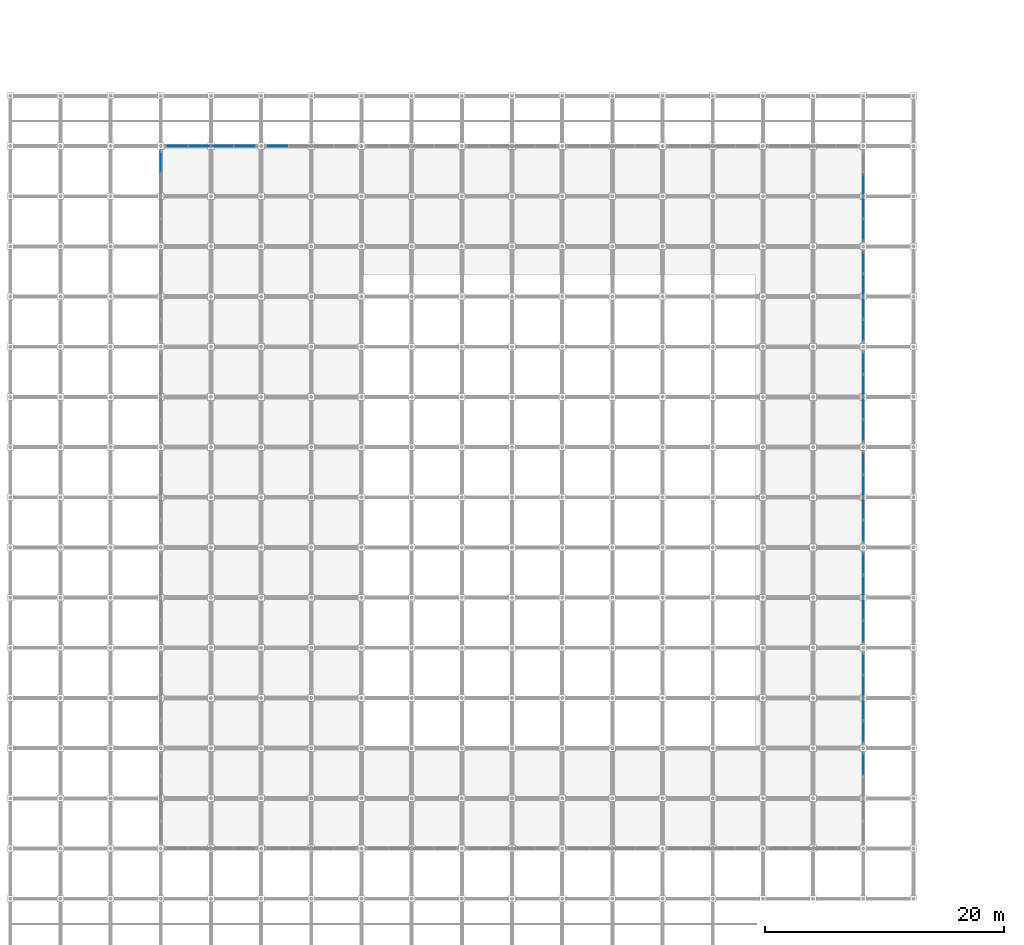
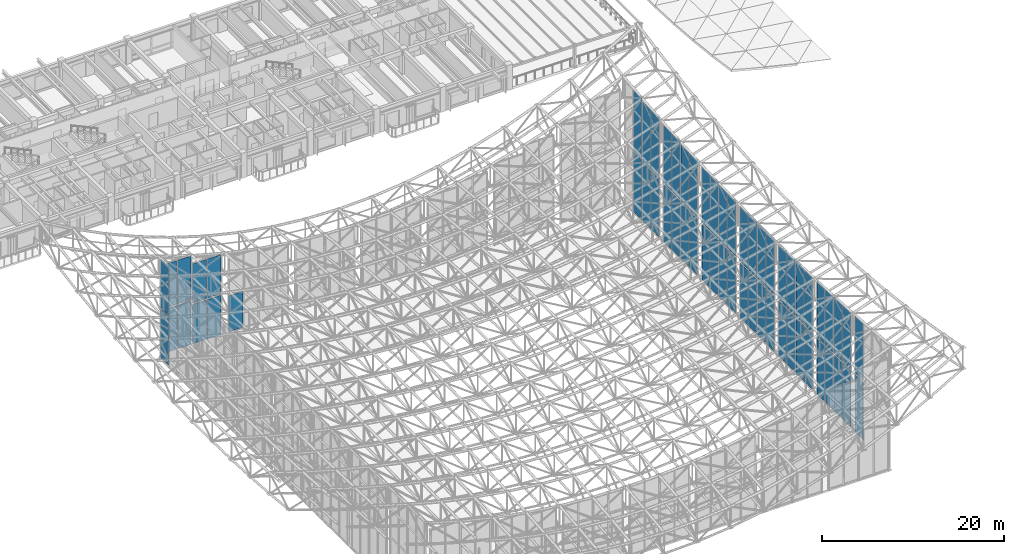
# One storey, part 61 of 93: 59 plates, 17 elements without a shape of their own.
"""IFC4 building model written with IfcOpenShell, lengths in metres."""

from ifc_helpers import new_model, si_unit, direction, frame, origin, origin_2d, place, context, subcontext, project, spatial, rectangle, extrude, material, layer, layer_set, type_object, element, aggregate, save


model = new_model("IFC4")

# Units and contexts
model_context = context("Model", 3, precision=1e-05, world=origin(), true_north=direction((0.0, 1.0)))
body_context = subcontext(model_context, "Body", "Model", "MODEL_VIEW")
ifc_project = project(units=[si_unit("LENGTHUNIT", "METRE"), si_unit("AREAUNIT", "SQUARE_METRE"), si_unit("VOLUMEUNIT", "CUBIC_METRE"), si_unit("PLANEANGLEUNIT", "RADIAN"), si_unit("MASSUNIT", "GRAM", prefix="KILO")], contexts=[model_context])

# Site, building, storey
site_placement = place(None, origin())
site = spatial("IfcSite", under=ifc_project, at=site_placement, CompositionType="ELEMENT")
building_placement = place(site_placement, origin())
building = spatial("IfcBuilding", under=site, at=building_placement, Name="Cumbredor Promenade Congress Hotel", CompositionType="ELEMENT")
storey_placement = place(building_placement, frame((0.0, 0.0, 21.840087890625)))
storey = spatial("IfcBuildingStorey", under=building, at=storey_placement, Name="L06", CompositionType="ELEMENT", Elevation=21.840087890625)

# Curtain wall, plates
ifc_material_1 = material(Name="Thermally broken anodized aluminium and low-E glass", Category="aluminium")
curtain_wall_type = type_object("IfcCurtainWallType", Name="Stepped Pavilion Clerestory Curtain Wall CW-06", PredefinedType="NOTDEFINED", material=ifc_material_1)
curtain_wall_1_placement = place(storey_placement, origin())
curtain_wall_1 = element("IfcCurtainWall", 1, at=curtain_wall_1_placement, inside=storey, type_object=curtain_wall_type, Name="Plenary Congress Hall N Glazed Clerestory 1", PredefinedType="NOTDEFINED")
ifc_material_2 = material(Name="Laminated low-E solar-control glass", Category="glass")
ifc_layer = layer(ifc_material_2, 0.031982421875, Name="Laminated low-E solar-control glass", Category="glass")
ifc_layer_set = layer_set([ifc_layer], Name="Laminated low-E solar-control glass")
plate_type = type_object("IfcPlateType", Name="Clerestory Glazed Vision Panel PNL-07", PredefinedType="CURTAIN_PANEL", material=ifc_layer_set)
plate_1_placement = place(storey_placement, frame((9.77001953125, 67.199951171875, 0.169921875), z_axis=(0.0, 0.0, 1.0), x_axis=(1.0, 0.0, 0.0)))
plate_1 = element("IfcPlate", 2, at=plate_1_placement, type_object=plate_type, Name="Plenary Congress Hall N Glazed Clerestory 1 Glazing Panel 1.1", PredefinedType="CURTAIN_PANEL", context=body_context, shape_type="SweptSolid", body=[
    extrude(rectangle(XDim=1.77490234375, YDim=0.031982421875, at=origin_2d()), origin(), (0.0, 0.0, 1.0), 5.840087890625),
])
plate_2_placement = place(storey_placement, frame((9.77001953125, 67.199951171875, 6.18994140625), z_axis=(0.0, 0.0, 1.0), x_axis=(1.0, 0.0, 0.0)))
plate_2 = element("IfcPlate", 3, at=plate_2_placement, type_object=plate_type, Name="Plenary Congress Hall N Glazed Clerestory 1 Glazing Panel 1.2", PredefinedType="CURTAIN_PANEL", context=body_context, shape_type="SweptSolid", body=[
    extrude(rectangle(XDim=1.77490234375, YDim=0.031982421875, at=origin_2d()), origin(), (0.0, 0.0, 1.0), 5.830078125),
])
plate_3_placement = place(storey_placement, frame((11.6298828125, 67.199951171875, 0.169921875), z_axis=(0.0, 0.0, 1.0), x_axis=(1.0, 0.0, 0.0)))
plate_3 = element("IfcPlate", 4, at=plate_3_placement, type_object=plate_type, Name="Plenary Congress Hall N Glazed Clerestory 1 Glazing Panel 2.1", PredefinedType="CURTAIN_PANEL", context=body_context, shape_type="SweptSolid", body=[
    extrude(rectangle(XDim=1.77490234375, YDim=0.031982421875, at=origin_2d()), origin(), (0.0, 0.0, 1.0), 5.840087890625),
])
plate_4_placement = place(storey_placement, frame((11.6298828125, 67.199951171875, 6.18994140625), z_axis=(0.0, 0.0, 1.0), x_axis=(1.0, 0.0, 0.0)))
plate_4 = element("IfcPlate", 5, at=plate_4_placement, type_object=plate_type, Name="Plenary Congress Hall N Glazed Clerestory 1 Glazing Panel 2.2", PredefinedType="CURTAIN_PANEL", context=body_context, shape_type="SweptSolid", body=[
    extrude(rectangle(XDim=1.77490234375, YDim=0.031982421875, at=origin_2d()), origin(), (0.0, 0.0, 1.0), 5.830078125),
])
aggregate(curtain_wall_1, [plate_1, plate_2, plate_3, plate_4])

curtain_wall_2_placement = place(storey_placement, origin())
curtain_wall_2 = element("IfcCurtainWall", 6, at=curtain_wall_2_placement, inside=storey, type_object=curtain_wall_type, Name="Plenary Congress Hall N Glazed Clerestory 2", PredefinedType="NOTDEFINED")
plate_5_placement = place(storey_placement, frame((13.570068359375, 67.199951171875, 0.169921875), z_axis=(0.0, 0.0, 1.0), x_axis=(1.0, 0.0, 0.0)))
plate_5 = element("IfcPlate", 7, at=plate_5_placement, type_object=plate_type, Name="Plenary Congress Hall N Glazed Clerestory 2 Glazing Panel 1.1", PredefinedType="CURTAIN_PANEL", context=body_context, shape_type="SweptSolid", body=[
    extrude(rectangle(XDim=1.77490234375, YDim=0.031982421875, at=origin_2d()), origin(), (0.0, 0.0, 1.0), 5.27001953125),
])
plate_6_placement = place(storey_placement, frame((13.570068359375, 67.199951171875, 5.6201171875), z_axis=(0.0, 0.0, 1.0), x_axis=(1.0, 0.0, 0.0)))
plate_6 = element("IfcPlate", 8, at=plate_6_placement, type_object=plate_type, Name="Plenary Congress Hall N Glazed Clerestory 2 Glazing Panel 1.2", PredefinedType="CURTAIN_PANEL", context=body_context, shape_type="SweptSolid", body=[
    extrude(rectangle(XDim=1.77490234375, YDim=0.031982421875, at=origin_2d()), origin(), (0.0, 0.0, 1.0), 5.260009765625),
])
plate_7_placement = place(storey_placement, frame((15.429931640625, 67.199951171875, 0.169921875), z_axis=(0.0, 0.0, 1.0), x_axis=(1.0, 0.0, 0.0)))
plate_7 = element("IfcPlate", 9, at=plate_7_placement, type_object=plate_type, Name="Plenary Congress Hall N Glazed Clerestory 2 Glazing Panel 2.1", PredefinedType="CURTAIN_PANEL", context=body_context, shape_type="SweptSolid", body=[
    extrude(rectangle(XDim=1.77490234375, YDim=0.031982421875, at=origin_2d()), origin(), (0.0, 0.0, 1.0), 5.27001953125),
])
plate_8_placement = place(storey_placement, frame((15.429931640625, 67.199951171875, 5.6201171875), z_axis=(0.0, 0.0, 1.0), x_axis=(1.0, 0.0, 0.0)))
plate_8 = element("IfcPlate", 10, at=plate_8_placement, type_object=plate_type, Name="Plenary Congress Hall N Glazed Clerestory 2 Glazing Panel 2.2", PredefinedType="CURTAIN_PANEL", context=body_context, shape_type="SweptSolid", body=[
    extrude(rectangle(XDim=1.77490234375, YDim=0.031982421875, at=origin_2d()), origin(), (0.0, 0.0, 1.0), 5.260009765625),
])
aggregate(curtain_wall_2, [plate_5, plate_6, plate_7, plate_8])

# Curtain wall, plate
curtain_wall_3_placement = place(storey_placement, origin())
curtain_wall_3 = element("IfcCurtainWall", 11, at=curtain_wall_3_placement, inside=storey, type_object=curtain_wall_type, Name="Plenary Congress Hall N Glazed Clerestory 3", PredefinedType="NOTDEFINED")
plate_9_placement = place(storey_placement, frame((18.169921875, 67.199951171875, 0.169921875), z_axis=(0.0, 0.0, 1.0), x_axis=(1.0, 0.0, 0.0)))
plate_9 = element("IfcPlate", 12, at=plate_9_placement, type_object=plate_type, Name="Plenary Congress Hall N Glazed Clerestory 3 Glazing Panel 1.1", PredefinedType="CURTAIN_PANEL", context=body_context, shape_type="SweptSolid", body=[
    extrude(rectangle(XDim=1.77490234375, YDim=0.031982421875, at=origin_2d()), origin(), (0.0, 0.0, 1.0), 4.830078125),
])
aggregate(curtain_wall_3, [plate_9])

# Curtain wall, plates
curtain_wall_4_placement = place(storey_placement, origin())
curtain_wall_4 = element("IfcCurtainWall", 13, at=curtain_wall_4_placement, inside=storey, type_object=curtain_wall_type, Name="Plenary Congress Hall W Glazed Clerestory 14", PredefinedType="NOTDEFINED")
plate_10_placement = place(storey_placement, frame((8.39990234375, 65.830078125, 0.169921875), z_axis=(0.0, 0.0, 1.0), x_axis=(0.0, 1.0, 0.0)))
plate_10 = element("IfcPlate", 14, at=plate_10_placement, type_object=plate_type, Name="Plenary Congress Hall W Glazed Clerestory 14 Glazing Panel 2.1", PredefinedType="CURTAIN_PANEL", context=body_context, shape_type="SweptSolid", body=[
    extrude(rectangle(XDim=1.77490234375, YDim=0.031982421875, at=origin_2d()), origin(), (0.0, 0.0, 1.0), 6.5),
])
plate_11_placement = place(storey_placement, frame((8.39990234375, 65.830078125, 6.849853515625), z_axis=(0.0, 0.0, 1.0), x_axis=(0.0, 1.0, 0.0)))
plate_11 = element("IfcPlate", 15, at=plate_11_placement, type_object=plate_type, Name="Plenary Congress Hall W Glazed Clerestory 14 Glazing Panel 2.2", PredefinedType="CURTAIN_PANEL", context=body_context, shape_type="SweptSolid", body=[
    extrude(rectangle(XDim=1.77490234375, YDim=0.031982421875, at=origin_2d()), origin(), (0.0, 0.0, 1.0), 6.5),
])
aggregate(curtain_wall_4, [plate_10, plate_11])

curtain_wall_5_placement = place(storey_placement, origin())
curtain_wall_5 = element("IfcCurtainWall", 16, at=curtain_wall_5_placement, inside=storey, type_object=curtain_wall_type, Name="Plenary Congress Hall E Glazed Clerestory 2", PredefinedType="NOTDEFINED")
plate_12_placement = place(storey_placement, frame((67.199951171875, 15.429931640625, 0.169921875), z_axis=(0.0, 0.0, 1.0), x_axis=(0.0, 1.0, 0.0)))
plate_12 = element("IfcPlate", 17, at=plate_12_placement, type_object=plate_type, Name="Plenary Congress Hall E Glazed Clerestory 2 Glazing Panel 2.1", PredefinedType="CURTAIN_PANEL", context=body_context, shape_type="SweptSolid", body=[
    extrude(rectangle(XDim=1.77490234375, YDim=0.031982421875, at=origin_2d()), origin(), (0.0, 0.0, 1.0), 7.699951171875),
])
plate_13_placement = place(storey_placement, frame((67.199951171875, 15.429931640625, 8.050048828125), z_axis=(0.0, 0.0, 1.0), x_axis=(0.0, 1.0, 0.0)))
plate_13 = element("IfcPlate", 18, at=plate_13_placement, type_object=plate_type, Name="Plenary Congress Hall E Glazed Clerestory 2 Glazing Panel 2.2", PredefinedType="CURTAIN_PANEL", context=body_context, shape_type="SweptSolid", body=[
    extrude(rectangle(XDim=1.77490234375, YDim=0.031982421875, at=origin_2d()), origin(), (0.0, 0.0, 1.0), 7.68994140625),
])
aggregate(curtain_wall_5, [plate_12, plate_13])

curtain_wall_6_placement = place(storey_placement, origin())
curtain_wall_6 = element("IfcCurtainWall", 19, at=curtain_wall_6_placement, inside=storey, type_object=curtain_wall_type, Name="Plenary Congress Hall E Glazed Clerestory 3", PredefinedType="NOTDEFINED")
plate_14_placement = place(storey_placement, frame((67.199951171875, 18.169921875, 0.169921875), z_axis=(0.0, 0.0, 1.0), x_axis=(0.0, 1.0, 0.0)))
plate_14 = element("IfcPlate", 20, at=plate_14_placement, type_object=plate_type, Name="Plenary Congress Hall E Glazed Clerestory 3 Glazing Panel 1.1", PredefinedType="CURTAIN_PANEL", context=body_context, shape_type="SweptSolid", body=[
    extrude(rectangle(XDim=1.77490234375, YDim=0.031982421875, at=origin_2d()), origin(), (0.0, 0.0, 1.0), 7.56005859375),
])
plate_15_placement = place(storey_placement, frame((67.199951171875, 18.169921875, 7.90966796875), z_axis=(0.0, 0.0, 1.0), x_axis=(0.0, 1.0, 0.0)))
plate_15 = element("IfcPlate", 21, at=plate_15_placement, type_object=plate_type, Name="Plenary Congress Hall E Glazed Clerestory 3 Glazing Panel 1.2", PredefinedType="CURTAIN_PANEL", context=body_context, shape_type="SweptSolid", body=[
    extrude(rectangle(XDim=1.77490234375, YDim=0.031982421875, at=origin_2d()), origin(), (0.0, 0.0, 1.0), 7.570068359375),
])
plate_16_placement = place(storey_placement, frame((67.199951171875, 20.030029296875, 0.169921875), z_axis=(0.0, 0.0, 1.0), x_axis=(0.0, 1.0, 0.0)))
plate_16 = element("IfcPlate", 22, at=plate_16_placement, type_object=plate_type, Name="Plenary Congress Hall E Glazed Clerestory 3 Glazing Panel 2.1", PredefinedType="CURTAIN_PANEL", context=body_context, shape_type="SweptSolid", body=[
    extrude(rectangle(XDim=1.77490234375, YDim=0.031982421875, at=origin_2d()), origin(), (0.0, 0.0, 1.0), 7.56005859375),
])
plate_17_placement = place(storey_placement, frame((67.199951171875, 20.030029296875, 7.90966796875), z_axis=(0.0, 0.0, 1.0), x_axis=(0.0, 1.0, 0.0)))
plate_17 = element("IfcPlate", 23, at=plate_17_placement, type_object=plate_type, Name="Plenary Congress Hall E Glazed Clerestory 3 Glazing Panel 2.2", PredefinedType="CURTAIN_PANEL", context=body_context, shape_type="SweptSolid", body=[
    extrude(rectangle(XDim=1.77490234375, YDim=0.031982421875, at=origin_2d()), origin(), (0.0, 0.0, 1.0), 7.570068359375),
])
aggregate(curtain_wall_6, [plate_14, plate_15, plate_16, plate_17])

curtain_wall_7_placement = place(storey_placement, origin())
curtain_wall_7 = element("IfcCurtainWall", 24, at=curtain_wall_7_placement, inside=storey, type_object=curtain_wall_type, Name="Plenary Congress Hall E Glazed Clerestory 4", PredefinedType="NOTDEFINED")
plate_18_placement = place(storey_placement, frame((67.199951171875, 21.969970703125, 0.169921875), z_axis=(0.0, 0.0, 1.0), x_axis=(0.0, 1.0, 0.0)))
plate_18 = element("IfcPlate", 25, at=plate_18_placement, type_object=plate_type, Name="Plenary Congress Hall E Glazed Clerestory 4 Glazing Panel 1.1", PredefinedType="CURTAIN_PANEL", context=body_context, shape_type="SweptSolid", body=[
    extrude(rectangle(XDim=1.77490234375, YDim=0.031982421875, at=origin_2d()), origin(), (0.0, 0.0, 1.0), 7.469970703125),
])
plate_19_placement = place(storey_placement, frame((67.199951171875, 21.969970703125, 7.81982421875), z_axis=(0.0, 0.0, 1.0), x_axis=(0.0, 1.0, 0.0)))
plate_19 = element("IfcPlate", 26, at=plate_19_placement, type_object=plate_type, Name="Plenary Congress Hall E Glazed Clerestory 4 Glazing Panel 1.2", PredefinedType="CURTAIN_PANEL", context=body_context, shape_type="SweptSolid", body=[
    extrude(rectangle(XDim=1.77490234375, YDim=0.031982421875, at=origin_2d()), origin(), (0.0, 0.0, 1.0), 7.4599609375),
])
plate_20_placement = place(storey_placement, frame((67.199951171875, 23.830078125, 0.169921875), z_axis=(0.0, 0.0, 1.0), x_axis=(0.0, 1.0, 0.0)))
plate_20 = element("IfcPlate", 27, at=plate_20_placement, type_object=plate_type, Name="Plenary Congress Hall E Glazed Clerestory 4 Glazing Panel 2.1", PredefinedType="CURTAIN_PANEL", context=body_context, shape_type="SweptSolid", body=[
    extrude(rectangle(XDim=1.77490234375, YDim=0.031982421875, at=origin_2d()), origin(), (0.0, 0.0, 1.0), 7.469970703125),
])
plate_21_placement = place(storey_placement, frame((67.199951171875, 23.830078125, 7.81982421875), z_axis=(0.0, 0.0, 1.0), x_axis=(0.0, 1.0, 0.0)))
plate_21 = element("IfcPlate", 28, at=plate_21_placement, type_object=plate_type, Name="Plenary Congress Hall E Glazed Clerestory 4 Glazing Panel 2.2", PredefinedType="CURTAIN_PANEL", context=body_context, shape_type="SweptSolid", body=[
    extrude(rectangle(XDim=1.77490234375, YDim=0.031982421875, at=origin_2d()), origin(), (0.0, 0.0, 1.0), 7.4599609375),
])
aggregate(curtain_wall_7, [plate_18, plate_19, plate_20, plate_21])

curtain_wall_8_placement = place(storey_placement, origin())
curtain_wall_8 = element("IfcCurtainWall", 29, at=curtain_wall_8_placement, inside=storey, type_object=curtain_wall_type, Name="Plenary Congress Hall E Glazed Clerestory 5", PredefinedType="NOTDEFINED")
plate_22_placement = place(storey_placement, frame((67.199951171875, 26.570068359375, 0.169921875), z_axis=(0.0, 0.0, 1.0), x_axis=(0.0, 1.0, 0.0)))
plate_22 = element("IfcPlate", 30, at=plate_22_placement, type_object=plate_type, Name="Plenary Congress Hall E Glazed Clerestory 5 Glazing Panel 1.1", PredefinedType="CURTAIN_PANEL", context=body_context, shape_type="SweptSolid", body=[
    extrude(rectangle(XDim=1.77490234375, YDim=0.031982421875, at=origin_2d()), origin(), (0.0, 0.0, 1.0), 7.39990234375),
])
plate_23_placement = place(storey_placement, frame((67.199951171875, 26.570068359375, 7.75), z_axis=(0.0, 0.0, 1.0), x_axis=(0.0, 1.0, 0.0)))
plate_23 = element("IfcPlate", 31, at=plate_23_placement, type_object=plate_type, Name="Plenary Congress Hall E Glazed Clerestory 5 Glazing Panel 1.2", PredefinedType="CURTAIN_PANEL", context=body_context, shape_type="SweptSolid", body=[
    extrude(rectangle(XDim=1.77490234375, YDim=0.031982421875, at=origin_2d()), origin(), (0.0, 0.0, 1.0), 7.39990234375),
])
plate_24_placement = place(storey_placement, frame((67.199951171875, 28.429931640625, 0.169921875), z_axis=(0.0, 0.0, 1.0), x_axis=(0.0, 1.0, 0.0)))
plate_24 = element("IfcPlate", 32, at=plate_24_placement, type_object=plate_type, Name="Plenary Congress Hall E Glazed Clerestory 5 Glazing Panel 2.1", PredefinedType="CURTAIN_PANEL", context=body_context, shape_type="SweptSolid", body=[
    extrude(rectangle(XDim=1.77490234375, YDim=0.031982421875, at=origin_2d()), origin(), (0.0, 0.0, 1.0), 7.39990234375),
])
plate_25_placement = place(storey_placement, frame((67.199951171875, 28.429931640625, 7.75), z_axis=(0.0, 0.0, 1.0), x_axis=(0.0, 1.0, 0.0)))
plate_25 = element("IfcPlate", 33, at=plate_25_placement, type_object=plate_type, Name="Plenary Congress Hall E Glazed Clerestory 5 Glazing Panel 2.2", PredefinedType="CURTAIN_PANEL", context=body_context, shape_type="SweptSolid", body=[
    extrude(rectangle(XDim=1.77490234375, YDim=0.031982421875, at=origin_2d()), origin(), (0.0, 0.0, 1.0), 7.39990234375),
])
aggregate(curtain_wall_8, [plate_22, plate_23, plate_24, plate_25])

curtain_wall_9_placement = place(storey_placement, origin())
curtain_wall_9 = element("IfcCurtainWall", 34, at=curtain_wall_9_placement, inside=storey, type_object=curtain_wall_type, Name="Plenary Congress Hall E Glazed Clerestory 6", PredefinedType="NOTDEFINED")
plate_26_placement = place(storey_placement, frame((67.199951171875, 30.3701171875, 0.169921875), z_axis=(0.0, 0.0, 1.0), x_axis=(0.0, 1.0, 0.0)))
plate_26 = element("IfcPlate", 35, at=plate_26_placement, type_object=plate_type, Name="Plenary Congress Hall E Glazed Clerestory 6 Glazing Panel 1.1", PredefinedType="CURTAIN_PANEL", context=body_context, shape_type="SweptSolid", body=[
    extrude(rectangle(XDim=1.77490234375, YDim=0.031982421875, at=origin_2d()), origin(), (0.0, 0.0, 1.0), 7.360107421875),
])
plate_27_placement = place(storey_placement, frame((67.199951171875, 30.3701171875, 7.7099609375), z_axis=(0.0, 0.0, 1.0), x_axis=(0.0, 1.0, 0.0)))
plate_27 = element("IfcPlate", 36, at=plate_27_placement, type_object=plate_type, Name="Plenary Congress Hall E Glazed Clerestory 6 Glazing Panel 1.2", PredefinedType="CURTAIN_PANEL", context=body_context, shape_type="SweptSolid", body=[
    extrude(rectangle(XDim=1.77490234375, YDim=0.031982421875, at=origin_2d()), origin(), (0.0, 0.0, 1.0), 7.3701171875),
])
plate_28_placement = place(storey_placement, frame((67.199951171875, 32.22998046875, 0.169921875), z_axis=(0.0, 0.0, 1.0), x_axis=(0.0, 1.0, 0.0)))
plate_28 = element("IfcPlate", 37, at=plate_28_placement, type_object=plate_type, Name="Plenary Congress Hall E Glazed Clerestory 6 Glazing Panel 2.1", PredefinedType="CURTAIN_PANEL", context=body_context, shape_type="SweptSolid", body=[
    extrude(rectangle(XDim=1.77490234375, YDim=0.031982421875, at=origin_2d()), origin(), (0.0, 0.0, 1.0), 7.360107421875),
])
plate_29_placement = place(storey_placement, frame((67.199951171875, 32.22998046875, 7.7099609375), z_axis=(0.0, 0.0, 1.0), x_axis=(0.0, 1.0, 0.0)))
plate_29 = element("IfcPlate", 38, at=plate_29_placement, type_object=plate_type, Name="Plenary Congress Hall E Glazed Clerestory 6 Glazing Panel 2.2", PredefinedType="CURTAIN_PANEL", context=body_context, shape_type="SweptSolid", body=[
    extrude(rectangle(XDim=1.77490234375, YDim=0.031982421875, at=origin_2d()), origin(), (0.0, 0.0, 1.0), 7.3701171875),
])
aggregate(curtain_wall_9, [plate_26, plate_27, plate_28, plate_29])

curtain_wall_10_placement = place(storey_placement, origin())
curtain_wall_10 = element("IfcCurtainWall", 39, at=curtain_wall_10_placement, inside=storey, type_object=curtain_wall_type, Name="Plenary Congress Hall E Glazed Clerestory 7", PredefinedType="NOTDEFINED")
plate_30_placement = place(storey_placement, frame((67.199951171875, 34.969970703125, 0.169921875), z_axis=(0.0, 0.0, 1.0), x_axis=(0.0, 1.0, 0.0)))
plate_30 = element("IfcPlate", 40, at=plate_30_placement, type_object=plate_type, Name="Plenary Congress Hall E Glazed Clerestory 7 Glazing Panel 1.1", PredefinedType="CURTAIN_PANEL", context=body_context, shape_type="SweptSolid", body=[
    extrude(rectangle(XDim=1.77490234375, YDim=0.031982421875, at=origin_2d()), origin(), (0.0, 0.0, 1.0), 7.360107421875),
])
plate_31_placement = place(storey_placement, frame((67.199951171875, 34.969970703125, 7.7099609375), z_axis=(0.0, 0.0, 1.0), x_axis=(0.0, 1.0, 0.0)))
plate_31 = element("IfcPlate", 41, at=plate_31_placement, type_object=plate_type, Name="Plenary Congress Hall E Glazed Clerestory 7 Glazing Panel 1.2", PredefinedType="CURTAIN_PANEL", context=body_context, shape_type="SweptSolid", body=[
    extrude(rectangle(XDim=1.77490234375, YDim=0.031982421875, at=origin_2d()), origin(), (0.0, 0.0, 1.0), 7.3701171875),
])
plate_32_placement = place(storey_placement, frame((67.199951171875, 36.830078125, 0.169921875), z_axis=(0.0, 0.0, 1.0), x_axis=(0.0, 1.0, 0.0)))
plate_32 = element("IfcPlate", 42, at=plate_32_placement, type_object=plate_type, Name="Plenary Congress Hall E Glazed Clerestory 7 Glazing Panel 2.1", PredefinedType="CURTAIN_PANEL", context=body_context, shape_type="SweptSolid", body=[
    extrude(rectangle(XDim=1.77490234375, YDim=0.031982421875, at=origin_2d()), origin(), (0.0, 0.0, 1.0), 7.360107421875),
])
plate_33_placement = place(storey_placement, frame((67.199951171875, 36.830078125, 7.7099609375), z_axis=(0.0, 0.0, 1.0), x_axis=(0.0, 1.0, 0.0)))
plate_33 = element("IfcPlate", 43, at=plate_33_placement, type_object=plate_type, Name="Plenary Congress Hall E Glazed Clerestory 7 Glazing Panel 2.2", PredefinedType="CURTAIN_PANEL", context=body_context, shape_type="SweptSolid", body=[
    extrude(rectangle(XDim=1.77490234375, YDim=0.031982421875, at=origin_2d()), origin(), (0.0, 0.0, 1.0), 7.3701171875),
])
aggregate(curtain_wall_10, [plate_30, plate_31, plate_32, plate_33])

curtain_wall_11_placement = place(storey_placement, origin())
curtain_wall_11 = element("IfcCurtainWall", 44, at=curtain_wall_11_placement, inside=storey, type_object=curtain_wall_type, Name="Plenary Congress Hall E Glazed Clerestory 8", PredefinedType="NOTDEFINED")
plate_34_placement = place(storey_placement, frame((67.199951171875, 38.77001953125, 0.169921875), z_axis=(0.0, 0.0, 1.0), x_axis=(0.0, 1.0, 0.0)))
plate_34 = element("IfcPlate", 45, at=plate_34_placement, type_object=plate_type, Name="Plenary Congress Hall E Glazed Clerestory 8 Glazing Panel 1.1", PredefinedType="CURTAIN_PANEL", context=body_context, shape_type="SweptSolid", body=[
    extrude(rectangle(XDim=1.77490234375, YDim=0.031982421875, at=origin_2d()), origin(), (0.0, 0.0, 1.0), 7.360107421875),
])
plate_35_placement = place(storey_placement, frame((67.199951171875, 38.77001953125, 7.7099609375), z_axis=(0.0, 0.0, 1.0), x_axis=(0.0, 1.0, 0.0)))
plate_35 = element("IfcPlate", 46, at=plate_35_placement, type_object=plate_type, Name="Plenary Congress Hall E Glazed Clerestory 8 Glazing Panel 1.2", PredefinedType="CURTAIN_PANEL", context=body_context, shape_type="SweptSolid", body=[
    extrude(rectangle(XDim=1.77490234375, YDim=0.031982421875, at=origin_2d()), origin(), (0.0, 0.0, 1.0), 7.3701171875),
])
plate_36_placement = place(storey_placement, frame((67.199951171875, 40.6298828125, 0.169921875), z_axis=(0.0, 0.0, 1.0), x_axis=(0.0, 1.0, 0.0)))
plate_36 = element("IfcPlate", 47, at=plate_36_placement, type_object=plate_type, Name="Plenary Congress Hall E Glazed Clerestory 8 Glazing Panel 2.1", PredefinedType="CURTAIN_PANEL", context=body_context, shape_type="SweptSolid", body=[
    extrude(rectangle(XDim=1.77490234375, YDim=0.031982421875, at=origin_2d()), origin(), (0.0, 0.0, 1.0), 7.360107421875),
])
plate_37_placement = place(storey_placement, frame((67.199951171875, 40.6298828125, 7.7099609375), z_axis=(0.0, 0.0, 1.0), x_axis=(0.0, 1.0, 0.0)))
plate_37 = element("IfcPlate", 48, at=plate_37_placement, type_object=plate_type, Name="Plenary Congress Hall E Glazed Clerestory 8 Glazing Panel 2.2", PredefinedType="CURTAIN_PANEL", context=body_context, shape_type="SweptSolid", body=[
    extrude(rectangle(XDim=1.77490234375, YDim=0.031982421875, at=origin_2d()), origin(), (0.0, 0.0, 1.0), 7.3701171875),
])
aggregate(curtain_wall_11, [plate_34, plate_35, plate_36, plate_37])

curtain_wall_12_placement = place(storey_placement, origin())
curtain_wall_12 = element("IfcCurtainWall", 49, at=curtain_wall_12_placement, inside=storey, type_object=curtain_wall_type, Name="Plenary Congress Hall E Glazed Clerestory 9", PredefinedType="NOTDEFINED")
plate_38_placement = place(storey_placement, frame((67.199951171875, 43.3701171875, 0.169921875), z_axis=(0.0, 0.0, 1.0), x_axis=(0.0, 1.0, 0.0)))
plate_38 = element("IfcPlate", 50, at=plate_38_placement, type_object=plate_type, Name="Plenary Congress Hall E Glazed Clerestory 9 Glazing Panel 1.1", PredefinedType="CURTAIN_PANEL", context=body_context, shape_type="SweptSolid", body=[
    extrude(rectangle(XDim=1.77490234375, YDim=0.031982421875, at=origin_2d()), origin(), (0.0, 0.0, 1.0), 7.39990234375),
])
plate_39_placement = place(storey_placement, frame((67.199951171875, 43.3701171875, 7.75), z_axis=(0.0, 0.0, 1.0), x_axis=(0.0, 1.0, 0.0)))
plate_39 = element("IfcPlate", 51, at=plate_39_placement, type_object=plate_type, Name="Plenary Congress Hall E Glazed Clerestory 9 Glazing Panel 1.2", PredefinedType="CURTAIN_PANEL", context=body_context, shape_type="SweptSolid", body=[
    extrude(rectangle(XDim=1.77490234375, YDim=0.031982421875, at=origin_2d()), origin(), (0.0, 0.0, 1.0), 7.39990234375),
])
plate_40_placement = place(storey_placement, frame((67.199951171875, 45.22998046875, 0.169921875), z_axis=(0.0, 0.0, 1.0), x_axis=(0.0, 1.0, 0.0)))
plate_40 = element("IfcPlate", 52, at=plate_40_placement, type_object=plate_type, Name="Plenary Congress Hall E Glazed Clerestory 9 Glazing Panel 2.1", PredefinedType="CURTAIN_PANEL", context=body_context, shape_type="SweptSolid", body=[
    extrude(rectangle(XDim=1.77490234375, YDim=0.031982421875, at=origin_2d()), origin(), (0.0, 0.0, 1.0), 7.39990234375),
])
plate_41_placement = place(storey_placement, frame((67.199951171875, 45.22998046875, 7.75), z_axis=(0.0, 0.0, 1.0), x_axis=(0.0, 1.0, 0.0)))
plate_41 = element("IfcPlate", 53, at=plate_41_placement, type_object=plate_type, Name="Plenary Congress Hall E Glazed Clerestory 9 Glazing Panel 2.2", PredefinedType="CURTAIN_PANEL", context=body_context, shape_type="SweptSolid", body=[
    extrude(rectangle(XDim=1.77490234375, YDim=0.031982421875, at=origin_2d()), origin(), (0.0, 0.0, 1.0), 7.39990234375),
])
aggregate(curtain_wall_12, [plate_38, plate_39, plate_40, plate_41])

curtain_wall_13_placement = place(storey_placement, origin())
curtain_wall_13 = element("IfcCurtainWall", 54, at=curtain_wall_13_placement, inside=storey, type_object=curtain_wall_type, Name="Plenary Congress Hall E Glazed Clerestory 10", PredefinedType="NOTDEFINED")
plate_42_placement = place(storey_placement, frame((67.199951171875, 47.169921875, 0.169921875), z_axis=(0.0, 0.0, 1.0), x_axis=(0.0, 1.0, 0.0)))
plate_42 = element("IfcPlate", 55, at=plate_42_placement, type_object=plate_type, Name="Plenary Congress Hall E Glazed Clerestory 10 Glazing Panel 1.1", PredefinedType="CURTAIN_PANEL", context=body_context, shape_type="SweptSolid", body=[
    extrude(rectangle(XDim=1.77490234375, YDim=0.031982421875, at=origin_2d()), origin(), (0.0, 0.0, 1.0), 7.469970703125),
])
plate_43_placement = place(storey_placement, frame((67.199951171875, 47.169921875, 7.81982421875), z_axis=(0.0, 0.0, 1.0), x_axis=(0.0, 1.0, 0.0)))
plate_43 = element("IfcPlate", 56, at=plate_43_placement, type_object=plate_type, Name="Plenary Congress Hall E Glazed Clerestory 10 Glazing Panel 1.2", PredefinedType="CURTAIN_PANEL", context=body_context, shape_type="SweptSolid", body=[
    extrude(rectangle(XDim=1.77490234375, YDim=0.031982421875, at=origin_2d()), origin(), (0.0, 0.0, 1.0), 7.4599609375),
])
plate_44_placement = place(storey_placement, frame((67.199951171875, 49.030029296875, 0.169921875), z_axis=(0.0, 0.0, 1.0), x_axis=(0.0, 1.0, 0.0)))
plate_44 = element("IfcPlate", 57, at=plate_44_placement, type_object=plate_type, Name="Plenary Congress Hall E Glazed Clerestory 10 Glazing Panel 2.1", PredefinedType="CURTAIN_PANEL", context=body_context, shape_type="SweptSolid", body=[
    extrude(rectangle(XDim=1.77490234375, YDim=0.031982421875, at=origin_2d()), origin(), (0.0, 0.0, 1.0), 7.469970703125),
])
plate_45_placement = place(storey_placement, frame((67.199951171875, 49.030029296875, 7.81982421875), z_axis=(0.0, 0.0, 1.0), x_axis=(0.0, 1.0, 0.0)))
plate_45 = element("IfcPlate", 58, at=plate_45_placement, type_object=plate_type, Name="Plenary Congress Hall E Glazed Clerestory 10 Glazing Panel 2.2", PredefinedType="CURTAIN_PANEL", context=body_context, shape_type="SweptSolid", body=[
    extrude(rectangle(XDim=1.77490234375, YDim=0.031982421875, at=origin_2d()), origin(), (0.0, 0.0, 1.0), 7.4599609375),
])
aggregate(curtain_wall_13, [plate_42, plate_43, plate_44, plate_45])

curtain_wall_14_placement = place(storey_placement, origin())
curtain_wall_14 = element("IfcCurtainWall", 59, at=curtain_wall_14_placement, inside=storey, type_object=curtain_wall_type, Name="Plenary Congress Hall E Glazed Clerestory 11", PredefinedType="NOTDEFINED")
plate_46_placement = place(storey_placement, frame((67.199951171875, 51.77001953125, 0.169921875), z_axis=(0.0, 0.0, 1.0), x_axis=(0.0, 1.0, 0.0)))
plate_46 = element("IfcPlate", 60, at=plate_46_placement, type_object=plate_type, Name="Plenary Congress Hall E Glazed Clerestory 11 Glazing Panel 1.1", PredefinedType="CURTAIN_PANEL", context=body_context, shape_type="SweptSolid", body=[
    extrude(rectangle(XDim=1.77490234375, YDim=0.031982421875, at=origin_2d()), origin(), (0.0, 0.0, 1.0), 7.56005859375),
])
plate_47_placement = place(storey_placement, frame((67.199951171875, 51.77001953125, 7.90966796875), z_axis=(0.0, 0.0, 1.0), x_axis=(0.0, 1.0, 0.0)))
plate_47 = element("IfcPlate", 61, at=plate_47_placement, type_object=plate_type, Name="Plenary Congress Hall E Glazed Clerestory 11 Glazing Panel 1.2", PredefinedType="CURTAIN_PANEL", context=body_context, shape_type="SweptSolid", body=[
    extrude(rectangle(XDim=1.77490234375, YDim=0.031982421875, at=origin_2d()), origin(), (0.0, 0.0, 1.0), 7.570068359375),
])
plate_48_placement = place(storey_placement, frame((67.199951171875, 53.6298828125, 0.169921875), z_axis=(0.0, 0.0, 1.0), x_axis=(0.0, 1.0, 0.0)))
plate_48 = element("IfcPlate", 62, at=plate_48_placement, type_object=plate_type, Name="Plenary Congress Hall E Glazed Clerestory 11 Glazing Panel 2.1", PredefinedType="CURTAIN_PANEL", context=body_context, shape_type="SweptSolid", body=[
    extrude(rectangle(XDim=1.77490234375, YDim=0.031982421875, at=origin_2d()), origin(), (0.0, 0.0, 1.0), 7.56005859375),
])
plate_49_placement = place(storey_placement, frame((67.199951171875, 53.6298828125, 7.90966796875), z_axis=(0.0, 0.0, 1.0), x_axis=(0.0, 1.0, 0.0)))
plate_49 = element("IfcPlate", 63, at=plate_49_placement, type_object=plate_type, Name="Plenary Congress Hall E Glazed Clerestory 11 Glazing Panel 2.2", PredefinedType="CURTAIN_PANEL", context=body_context, shape_type="SweptSolid", body=[
    extrude(rectangle(XDim=1.77490234375, YDim=0.031982421875, at=origin_2d()), origin(), (0.0, 0.0, 1.0), 7.570068359375),
])
aggregate(curtain_wall_14, [plate_46, plate_47, plate_48, plate_49])

curtain_wall_15_placement = place(storey_placement, origin())
curtain_wall_15 = element("IfcCurtainWall", 64, at=curtain_wall_15_placement, inside=storey, type_object=curtain_wall_type, Name="Plenary Congress Hall E Glazed Clerestory 12", PredefinedType="NOTDEFINED")
plate_50_placement = place(storey_placement, frame((67.199951171875, 55.570068359375, 0.169921875), z_axis=(0.0, 0.0, 1.0), x_axis=(0.0, 1.0, 0.0)))
plate_50 = element("IfcPlate", 65, at=plate_50_placement, type_object=plate_type, Name="Plenary Congress Hall E Glazed Clerestory 12 Glazing Panel 1.1", PredefinedType="CURTAIN_PANEL", context=body_context, shape_type="SweptSolid", body=[
    extrude(rectangle(XDim=1.77490234375, YDim=0.031982421875, at=origin_2d()), origin(), (0.0, 0.0, 1.0), 7.699951171875),
])
plate_51_placement = place(storey_placement, frame((67.199951171875, 55.570068359375, 8.050048828125), z_axis=(0.0, 0.0, 1.0), x_axis=(0.0, 1.0, 0.0)))
plate_51 = element("IfcPlate", 66, at=plate_51_placement, type_object=plate_type, Name="Plenary Congress Hall E Glazed Clerestory 12 Glazing Panel 1.2", PredefinedType="CURTAIN_PANEL", context=body_context, shape_type="SweptSolid", body=[
    extrude(rectangle(XDim=1.77490234375, YDim=0.031982421875, at=origin_2d()), origin(), (0.0, 0.0, 1.0), 7.68994140625),
])
plate_52_placement = place(storey_placement, frame((67.199951171875, 57.429931640625, 0.169921875), z_axis=(0.0, 0.0, 1.0), x_axis=(0.0, 1.0, 0.0)))
plate_52 = element("IfcPlate", 67, at=plate_52_placement, type_object=plate_type, Name="Plenary Congress Hall E Glazed Clerestory 12 Glazing Panel 2.1", PredefinedType="CURTAIN_PANEL", context=body_context, shape_type="SweptSolid", body=[
    extrude(rectangle(XDim=1.77490234375, YDim=0.031982421875, at=origin_2d()), origin(), (0.0, 0.0, 1.0), 7.699951171875),
])
plate_53_placement = place(storey_placement, frame((67.199951171875, 57.429931640625, 8.050048828125), z_axis=(0.0, 0.0, 1.0), x_axis=(0.0, 1.0, 0.0)))
plate_53 = element("IfcPlate", 68, at=plate_53_placement, type_object=plate_type, Name="Plenary Congress Hall E Glazed Clerestory 12 Glazing Panel 2.2", PredefinedType="CURTAIN_PANEL", context=body_context, shape_type="SweptSolid", body=[
    extrude(rectangle(XDim=1.77490234375, YDim=0.031982421875, at=origin_2d()), origin(), (0.0, 0.0, 1.0), 7.68994140625),
])
aggregate(curtain_wall_15, [plate_50, plate_51, plate_52, plate_53])

curtain_wall_16_placement = place(storey_placement, origin())
curtain_wall_16 = element("IfcCurtainWall", 69, at=curtain_wall_16_placement, inside=storey, type_object=curtain_wall_type, Name="Plenary Congress Hall E Glazed Clerestory 13", PredefinedType="NOTDEFINED")
plate_54_placement = place(storey_placement, frame((67.199951171875, 60.169921875, 0.169921875), z_axis=(0.0, 0.0, 1.0), x_axis=(0.0, 1.0, 0.0)))
plate_54 = element("IfcPlate", 70, at=plate_54_placement, type_object=plate_type, Name="Plenary Congress Hall E Glazed Clerestory 13 Glazing Panel 1.1", PredefinedType="CURTAIN_PANEL", context=body_context, shape_type="SweptSolid", body=[
    extrude(rectangle(XDim=1.77490234375, YDim=0.031982421875, at=origin_2d()), origin(), (0.0, 0.0, 1.0), 7.860107421875),
])
plate_55_placement = place(storey_placement, frame((67.199951171875, 60.169921875, 8.2099609375), z_axis=(0.0, 0.0, 1.0), x_axis=(0.0, 1.0, 0.0)))
plate_55 = element("IfcPlate", 71, at=plate_55_placement, type_object=plate_type, Name="Plenary Congress Hall E Glazed Clerestory 13 Glazing Panel 1.2", PredefinedType="CURTAIN_PANEL", context=body_context, shape_type="SweptSolid", body=[
    extrude(rectangle(XDim=1.77490234375, YDim=0.031982421875, at=origin_2d()), origin(), (0.0, 0.0, 1.0), 7.860107421875),
])
plate_56_placement = place(storey_placement, frame((67.199951171875, 62.030029296875, 0.169921875), z_axis=(0.0, 0.0, 1.0), x_axis=(0.0, 1.0, 0.0)))
plate_56 = element("IfcPlate", 72, at=plate_56_placement, type_object=plate_type, Name="Plenary Congress Hall E Glazed Clerestory 13 Glazing Panel 2.1", PredefinedType="CURTAIN_PANEL", context=body_context, shape_type="SweptSolid", body=[
    extrude(rectangle(XDim=1.77490234375, YDim=0.031982421875, at=origin_2d()), origin(), (0.0, 0.0, 1.0), 7.860107421875),
])
plate_57_placement = place(storey_placement, frame((67.199951171875, 62.030029296875, 8.2099609375), z_axis=(0.0, 0.0, 1.0), x_axis=(0.0, 1.0, 0.0)))
plate_57 = element("IfcPlate", 73, at=plate_57_placement, type_object=plate_type, Name="Plenary Congress Hall E Glazed Clerestory 13 Glazing Panel 2.2", PredefinedType="CURTAIN_PANEL", context=body_context, shape_type="SweptSolid", body=[
    extrude(rectangle(XDim=1.77490234375, YDim=0.031982421875, at=origin_2d()), origin(), (0.0, 0.0, 1.0), 7.860107421875),
])
aggregate(curtain_wall_16, [plate_54, plate_55, plate_56, plate_57])

curtain_wall_17_placement = place(storey_placement, origin())
curtain_wall_17 = element("IfcCurtainWall", 74, at=curtain_wall_17_placement, inside=storey, type_object=curtain_wall_type, Name="Plenary Congress Hall E Glazed Clerestory 14", PredefinedType="NOTDEFINED")
plate_58_placement = place(storey_placement, frame((67.199951171875, 63.969970703125, 0.169921875), z_axis=(0.0, 0.0, 1.0), x_axis=(0.0, 1.0, 0.0)))
plate_58 = element("IfcPlate", 75, at=plate_58_placement, type_object=plate_type, Name="Plenary Congress Hall E Glazed Clerestory 14 Glazing Panel 1.1", PredefinedType="CURTAIN_PANEL", context=body_context, shape_type="SweptSolid", body=[
    extrude(rectangle(XDim=1.77490234375, YDim=0.031982421875, at=origin_2d()), origin(), (0.0, 0.0, 1.0), 8.06005859375),
])
plate_59_placement = place(storey_placement, frame((67.199951171875, 63.969970703125, 8.409912109375), z_axis=(0.0, 0.0, 1.0), x_axis=(0.0, 1.0, 0.0)))
plate_59 = element("IfcPlate", 76, at=plate_59_placement, type_object=plate_type, Name="Plenary Congress Hall E Glazed Clerestory 14 Glazing Panel 1.2", PredefinedType="CURTAIN_PANEL", context=body_context, shape_type="SweptSolid", body=[
    extrude(rectangle(XDim=1.77490234375, YDim=0.031982421875, at=origin_2d()), origin(), (0.0, 0.0, 1.0), 8.06005859375),
])
aggregate(curtain_wall_17, [plate_58, plate_59])

save(model, "model.ifc")
